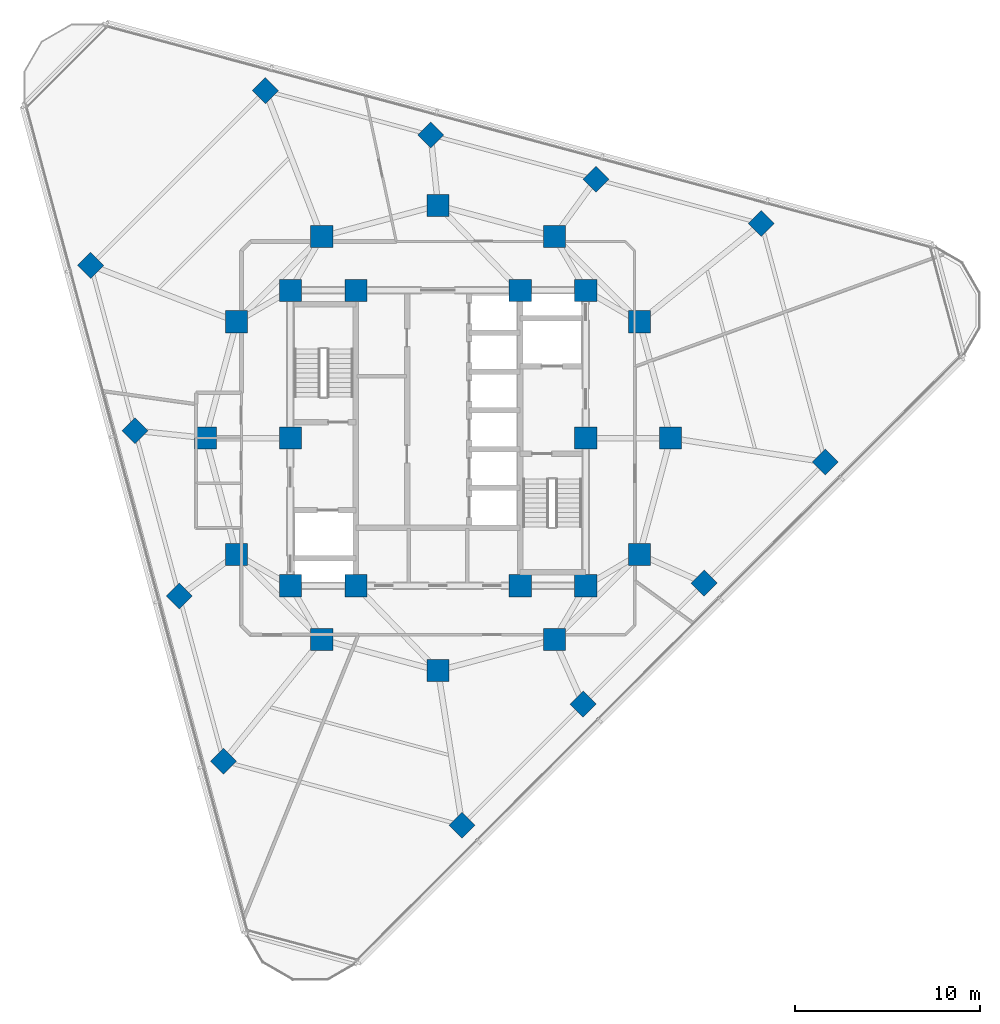
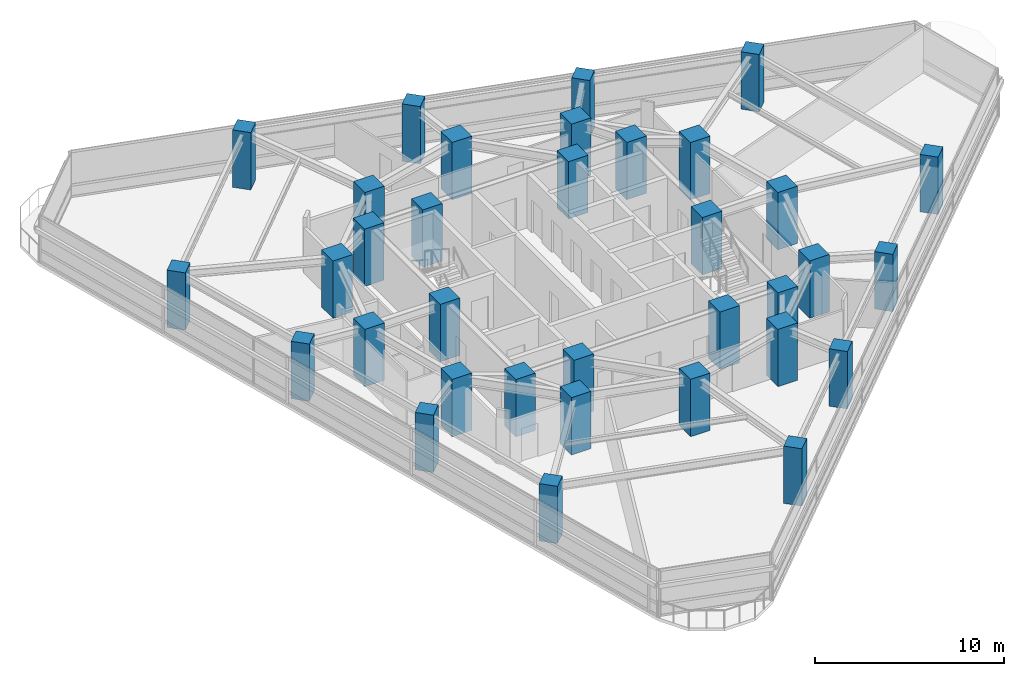
# One storey, part 1 of 13: 34 columns.
"""IFC4 building model written with IfcOpenShell, lengths in metres."""

from ifc_helpers import new_model, si_unit, direction, frame, origin, origin_2d, place, context, subcontext, project, spatial, rectangle, extrude, material, material_profile, profile_set, type_object, element, save


model = new_model("IFC4")

# Units and contexts
model_context = context("Model", 3, precision=1e-05, world=origin(), true_north=direction((0.0, 1.0)))
body_context = subcontext(model_context, "Body", "Model", "MODEL_VIEW")
ifc_project = project(units=[si_unit("LENGTHUNIT", "METRE"), si_unit("AREAUNIT", "SQUARE_METRE"), si_unit("VOLUMEUNIT", "CUBIC_METRE"), si_unit("PLANEANGLEUNIT", "RADIAN"), si_unit("MASSUNIT", "GRAM", prefix="KILO")], contexts=[model_context])

# Site, building, storey
site_placement = place(None, origin())
site = spatial("IfcSite", under=ifc_project, at=site_placement, CompositionType="ELEMENT")
building_placement = place(site_placement, origin())
building = spatial("IfcBuilding", under=site, at=building_placement, Name="Terralouvre Media Tower", CompositionType="ELEMENT")
storey_placement = place(building_placement, frame((0.0, 0.0, 199.0)))
storey = spatial("IfcBuildingStorey", under=building, at=storey_placement, Name="L51", CompositionType="ELEMENT", Elevation=199.0)

# Columns
ifc_material_1 = material(Name="Concrete C50/60", Category="concrete")
ifc_material_profile_1 = material_profile(ifc_material_1, rectangle(XDim=1.0, YDim=1.0, at=origin_2d()), Name="RC 1000x1000")
ifc_profile_set_1 = profile_set([ifc_material_profile_1], Name="Concrete C50/60")
column_type_1 = type_object("IfcColumnType", Name="Structural Column C-RC1000 (RC 1000x1000)", PredefinedType="COLUMN", material=ifc_profile_set_1)
for number, where, z_axis, x_axis, name in (
    (1, (1.3046875, -20.973388671875, 0.0), (0.0, 0.0, 1.0), (0.707106781187, 0.707106781187, 0.0), "L51 Perimeter Mega-Column PC11"),
    (2, (7.86083984375, -14.417236328125, 0.0), (0.0, 0.0, 1.0), (0.707106781187, 0.707106781187, 0.0), "L51 Perimeter Mega-Column PC12"),
    (3, (14.417236328125, -7.86083984375, 0.0), (0.0, 0.0, 1.0), (0.707106781187, 0.707106781187, 0.0), "L51 Perimeter Mega-Column PC13"),
    (4, (20.973388671875, -1.3046875, 0.0), (0.0, 0.0, 1.0), (0.707106781187, 0.707106781187, 0.0), "L51 Perimeter Mega-Column PC14"),
    (5, (17.51123046875, 11.616455078125, 0.0), (0.0, 0.0, 1.0), (0.707106781187, 0.707106781187, 0.0), "L51 Perimeter Mega-Column PC21"),
    (6, (8.55517578125, 14.016357421875, 0.0), (0.0, 0.0, 1.0), (0.707106781187, 0.707106781187, 0.0), "L51 Perimeter Mega-Column PC22"),
    (7, (-0.40087890625, 16.416015625, 0.0), (0.0, 0.0, 1.0), (0.707106781187, 0.707106781187, 0.0), "L51 Perimeter Mega-Column PC23"),
    (8, (-9.35693359375, 18.81591796875, 0.0), (0.0, 0.0, 1.0), (0.707106781187, 0.707106781187, 0.0), "L51 Perimeter Mega-Column PC24"),
    (9, (-18.81591796875, 9.35693359375, 0.0), (0.0, 0.0, 1.0), (0.707106781187, 0.707106781187, 0.0), "L51 Perimeter Mega-Column PC31"),
    (10, (-16.416015625, 0.40087890625, 0.0), (0.0, 0.0, 1.0), (0.707106781187, 0.707106781187, 0.0), "L51 Perimeter Mega-Column PC32"),
    (11, (-14.016357421875, -8.55517578125, 0.0), (0.0, 0.0, 1.0), (0.707106781187, 0.707106781187, 0.0), "L51 Perimeter Mega-Column PC33"),
    (12, (-11.616455078125, -17.51123046875, 0.0), (0.0, 0.0, 1.0), (0.707106781187, 0.707106781187, 0.0), "L51 Perimeter Mega-Column PC34"),
):
    element("IfcColumn", number, at=place(storey_placement, frame(where, z_axis=z_axis, x_axis=x_axis)), inside=storey, type_object=column_type_1, Name=name, PredefinedType="COLUMN", context=body_context, shape_type="SweptSolid", body=[
        extrude(rectangle(XDim=1.0, YDim=1.0, at=origin_2d()), origin(), (0.0, 0.0, 1.0), 3.699951171875),
    ])
ifc_material_2 = material(Name="Concrete C60/75", Category="concrete")
ifc_material_profile_2 = material_profile(ifc_material_2, rectangle(XDim=1.199951171875, YDim=1.199951171875, at=origin_2d()), Name="RC 1200x1200")
ifc_profile_set_2 = profile_set([ifc_material_profile_2], Name="Concrete C60/75")
column_type_2 = type_object("IfcColumnType", Name="Structural Column C-RC1200 (RC 1200x1200)", PredefinedType="COLUMN", material=ifc_profile_set_2)
for number, where, z_axis, x_axis, name in (
    (13, (-8.0, -8.0, 0.0), (0.0, 0.0, 1.0), (1.0, 0.0, 0.0), "L51 Core Pilaster Column CP1"),
    (14, (-4.449951171875, -8.0, 0.0), (0.0, 0.0, 1.0), (1.0, 0.0, 0.0), "L51 Core Pilaster Column CP2"),
    (15, (4.449951171875, -8.0, 0.0), (0.0, 0.0, 1.0), (1.0, 0.0, 0.0), "L51 Core Pilaster Column CP10"),
    (16, (8.0, -8.0, 0.0), (0.0, 0.0, 1.0), (1.0, 0.0, 0.0), "L51 Core Pilaster Column CP3"),
    (17, (8.0, 0.0, 0.0), (0.0, 0.0, 1.0), (1.0, 0.0, 0.0), "L51 Core Pilaster Column CP4"),
    (18, (8.0, 8.0, 0.0), (0.0, 0.0, 1.0), (1.0, 0.0, 0.0), "L51 Core Pilaster Column CP5"),
    (19, (4.449951171875, 8.0, 0.0), (0.0, 0.0, 1.0), (1.0, 0.0, 0.0), "L51 Core Pilaster Column CP9"),
    (20, (-4.449951171875, 8.0, 0.0), (0.0, 0.0, 1.0), (1.0, 0.0, 0.0), "L51 Core Pilaster Column CP6"),
    (21, (-8.0, 8.0, 0.0), (0.0, 0.0, 1.0), (1.0, 0.0, 0.0), "L51 Core Pilaster Column CP7"),
    (22, (-8.0, 0.0, 0.0), (0.0, 0.0, 1.0), (1.0, 0.0, 0.0), "L51 Core Pilaster Column CP8"),
    (23, (12.60009765625, 0.0, 0.0), (0.0, 0.0, 1.0), (1.0, 0.0, 0.0), "L51 Mega-Frame Column MC01"),
    (24, (10.911865234375, 6.300048828125, 0.0), (0.0, 0.0, 1.0), (1.0, 0.0, 0.0), "L51 Mega-Frame Column MC02"),
    (25, (6.300048828125, 10.911865234375, 0.0), (0.0, 0.0, 1.0), (1.0, 0.0, 0.0), "L51 Mega-Frame Column MC03"),
    (26, (0.0, 12.60009765625, 0.0), (0.0, 0.0, 1.0), (1.0, 0.0, 0.0), "L51 Mega-Frame Column MC04"),
    (27, (-6.300048828125, 10.911865234375, 0.0), (0.0, 0.0, 1.0), (1.0, 0.0, 0.0), "L51 Mega-Frame Column MC05"),
    (28, (-10.911865234375, 6.300048828125, 0.0), (0.0, 0.0, 1.0), (1.0, 0.0, 0.0), "L51 Mega-Frame Column MC06"),
    (29, (-12.60009765625, 0.0, 0.0), (0.0, 0.0, 1.0), (1.0, 0.0, 0.0), "L51 Mega-Frame Column MC07"),
    (30, (-10.911865234375, -6.300048828125, 0.0), (0.0, 0.0, 1.0), (1.0, 0.0, 0.0), "L51 Mega-Frame Column MC08"),
    (31, (-6.300048828125, -10.911865234375, 0.0), (0.0, 0.0, 1.0), (1.0, 0.0, 0.0), "L51 Mega-Frame Column MC09"),
    (32, (0.0, -12.60009765625, 0.0), (0.0, 0.0, 1.0), (1.0, 0.0, 0.0), "L51 Mega-Frame Column MC10"),
    (33, (6.300048828125, -10.911865234375, 0.0), (0.0, 0.0, 1.0), (1.0, 0.0, 0.0), "L51 Mega-Frame Column MC11"),
    (34, (10.911865234375, -6.300048828125, 0.0), (0.0, 0.0, 1.0), (1.0, 0.0, 0.0), "L51 Mega-Frame Column MC12"),
):
    element("IfcColumn", number, at=place(storey_placement, frame(where, z_axis=z_axis, x_axis=x_axis)), inside=storey, type_object=column_type_2, Name=name, PredefinedType="COLUMN", context=body_context, shape_type="SweptSolid", body=[
        extrude(rectangle(XDim=1.199951171875, YDim=1.199951171875, at=origin_2d()), origin(), (0.0, 0.0, 1.0), 3.699951171875),
    ])

save(model, "model.ifc")
